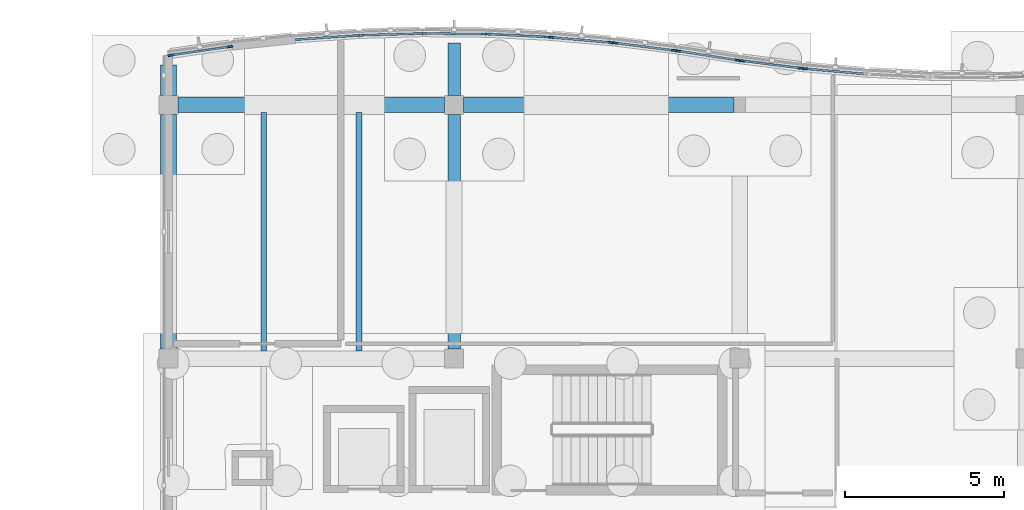
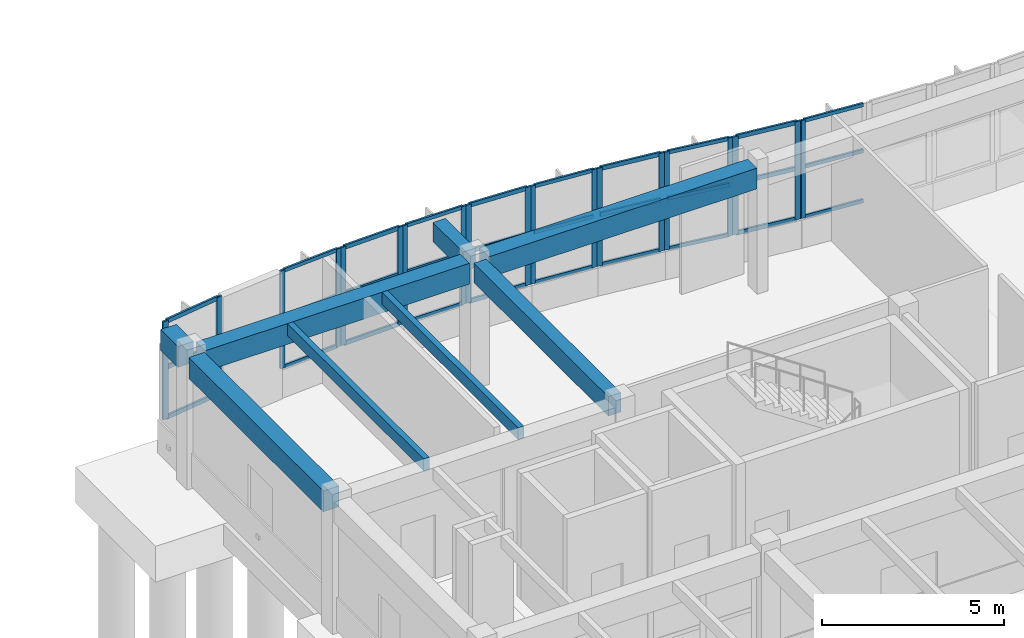
# One storey, part 30 of 99: 49 members, 8 beams, 10 elements without a shape of their own.
"""IFC4 building model written with IfcOpenShell, lengths in metres."""

from ifc_helpers import new_model, si_unit, direction, frame, origin, origin_2d, place, context, subcontext, project, spatial, rectangle, extrude, material, layer, layer_set, material_profile, profile_set, type_object, element, aggregate, save


model = new_model("IFC4")

# Units and contexts
model_context = context("Model", 3, precision=1e-05, world=origin(), true_north=direction((0.0, 1.0)))
body_context = subcontext(model_context, "Body", "Model", "MODEL_VIEW")
ifc_project = project(units=[si_unit("LENGTHUNIT", "METRE"), si_unit("AREAUNIT", "SQUARE_METRE"), si_unit("VOLUMEUNIT", "CUBIC_METRE"), si_unit("PLANEANGLEUNIT", "RADIAN"), si_unit("MASSUNIT", "GRAM", prefix="KILO")], contexts=[model_context])

# Site, building, storey
site_placement = place(None, origin())
site = spatial("IfcSite", under=ifc_project, at=site_placement, CompositionType="ELEMENT")
building_placement = place(site_placement, origin())
building = spatial("IfcBuilding", under=site, at=building_placement, Name="Tonlespit Floodbar School", CompositionType="ELEMENT")
storey_placement = place(building_placement, origin())
storey = spatial("IfcBuildingStorey", under=building, at=storey_placement, Name="L00", CompositionType="ELEMENT", Elevation=0.0)

# Beams
ifc_material_1 = material(Name="Concrete C40/50", Category="concrete")
ifc_material_profile_1 = material_profile(ifc_material_1, rectangle(XDim=0.39990234375, YDim=0.64990234375, at=origin_2d()), Name="RC 400x650")
ifc_profile_set_1 = profile_set([ifc_material_profile_1], Name="Concrete C40/50")
beam_type_1 = type_object("IfcBeamType", Name="Beam_RC_400x650", PredefinedType="BEAM", material=ifc_profile_set_1)
beam_1_placement = place(storey_placement, frame((53.0, 112.300048828125, 3.9150390625), z_axis=(0.0, 1.0, 0.0), x_axis=(-1.0, 0.0, 0.0)))
element("IfcBeam", 1, at=beam_1_placement, inside=storey, type_object=beam_type_1, Name="L00 girder 0237", PredefinedType="BEAM", context=body_context, shape_type="SweptSolid", body=[
    extrude(rectangle(XDim=0.39990234375, YDim=0.64990234375, at=origin_2d()), origin(), (0.0, 0.0, 1.0), 7.39990234375),
])
beam_2_placement = place(storey_placement, frame((53.0, 120.300048828125, 3.9150390625), z_axis=(0.0, 1.0, 0.0), x_axis=(-1.0, 0.0, 0.0)))
element("IfcBeam", 2, at=beam_2_placement, inside=storey, type_object=beam_type_1, Name="L00 north street wave cantilever bracket", PredefinedType="BEAM", context=body_context, shape_type="SweptSolid", body=[
    extrude(rectangle(XDim=0.39990234375, YDim=0.64990234375, at=origin_2d()), origin(), (0.0, 0.0, 1.0), 1.64697265625),
])

# Curtain wall, members
ifc_material_2 = material(Name="Anodised Aluminium", Category="aluminium")
ifc_layer_1 = layer(ifc_material_2, 0.159912109375)
ifc_layer_set_1 = layer_set([ifc_layer_1], Name="Anodised Aluminium")
curtain_wall_type_1 = type_object("IfcCurtainWallType", Name="CurtainWall_1900x3300", PredefinedType="NOTDEFINED", material=ifc_layer_set_1)
curtain_wall_1_placement = place(storey_placement, origin())
curtain_wall_1 = element("IfcCurtainWall", 3, at=curtain_wall_1_placement, inside=storey, type_object=curtain_wall_type_1, Name="L00 unitised curtain wall 0002", PredefinedType="NOTDEFINED")
ifc_material_profile_2 = material_profile(ifc_material_2, rectangle(XDim=0.06494140625, YDim=0.14990234375, at=origin_2d()), Name="ALU M65x150")
ifc_profile_set_2 = profile_set([ifc_material_profile_2], Name="Anodised Aluminium")
member_type_1 = type_object("IfcMemberType", Name="CW_Mullion_65x150", PredefinedType="MULLION", material=ifc_profile_set_2)
member_1_placement = place(storey_placement, frame((48.072265625, 122.05908203125, 0.949951171875), z_axis=(0.0, 0.0, 1.0), x_axis=(-0.067339767311, 0.99773010165, 0.0)))
member_1 = element("IfcMember", 4, at=member_1_placement, type_object=member_type_1, Name="CW-02 mullion 1", PredefinedType="MULLION", context=body_context, shape_type="SweptSolid", body=[
    extrude(rectangle(XDim=0.06494140625, YDim=0.14990234375, at=origin_2d()), origin(), (0.0, 0.0, 1.0), 3.2900390625),
])
member_2_placement = place(storey_placement, frame((49.927734375, 122.184326171875, 0.949951171875), z_axis=(0.0, 0.0, 1.0), x_axis=(-0.067339767311, 0.99773010165, 0.0)))
member_2 = element("IfcMember", 5, at=member_2_placement, type_object=member_type_1, Name="CW-02 mullion 2", PredefinedType="MULLION", context=body_context, shape_type="SweptSolid", body=[
    extrude(rectangle(XDim=0.06494140625, YDim=0.14990234375, at=origin_2d()), origin(), (0.0, 0.0, 1.0), 3.2900390625),
])

curtain_wall_2_placement = place(storey_placement, origin())
curtain_wall_2 = element("IfcCurtainWall", 6, at=curtain_wall_2_placement, inside=storey, type_object=curtain_wall_type_1, Name="L00 unitised curtain wall 0004", PredefinedType="NOTDEFINED")
member_3_placement = place(storey_placement, frame((52.072509765625, 122.246337890625, 0.949951171875), z_axis=(0.0, 0.0, 1.0), x_axis=(0.009582893292, 0.999954083024, 0.0)))
member_3 = element("IfcMember", 7, at=member_3_placement, type_object=member_type_1, Name="CW-02 mullion 1", PredefinedType="MULLION", context=body_context, shape_type="SweptSolid", body=[
    extrude(rectangle(XDim=0.06494140625, YDim=0.14990234375, at=origin_2d()), origin(), (0.0, 0.0, 1.0), 3.2900390625),
])
member_4_placement = place(storey_placement, frame((53.927490234375, 122.228515625, 0.949951171875), z_axis=(0.0, 0.0, 1.0), x_axis=(0.009582893292, 0.999954083024, 0.0)))
member_4 = element("IfcMember", 8, at=member_4_placement, type_object=member_type_1, Name="CW-02 mullion 2", PredefinedType="MULLION", context=body_context, shape_type="SweptSolid", body=[
    extrude(rectangle(XDim=0.06494140625, YDim=0.14990234375, at=origin_2d()), origin(), (0.0, 0.0, 1.0), 3.2900390625),
])

ifc_layer_2 = layer(ifc_material_2, 0.159912109375)
ifc_layer_set_2 = layer_set([ifc_layer_2], Name="Anodised Aluminium")
curtain_wall_type_2 = type_object("IfcCurtainWallType", Name="CurtainWall_1950x3300", PredefinedType="NOTDEFINED", material=ifc_layer_set_2)
curtain_wall_3_placement = place(storey_placement, origin())
curtain_wall_3 = element("IfcCurtainWall", 9, at=curtain_wall_3_placement, inside=storey, type_object=curtain_wall_type_2, Name="L00 unitised curtain wall 0006", PredefinedType="NOTDEFINED")
member_5_placement = place(storey_placement, frame((56.072265625, 122.125244140625, 0.949951171875), z_axis=(0.0, 0.0, 1.0), x_axis=(0.086531117454, 0.996249148412, 0.0)))
member_5 = element("IfcMember", 10, at=member_5_placement, type_object=member_type_1, Name="CW-01 mullion 1", PredefinedType="MULLION", context=body_context, shape_type="SweptSolid", body=[
    extrude(rectangle(XDim=0.06494140625, YDim=0.14990234375, at=origin_2d()), origin(), (0.0, 0.0, 1.0), 3.2900390625),
])
member_6_placement = place(storey_placement, frame((57.927734375, 121.964111328125, 0.949951171875), z_axis=(0.0, 0.0, 1.0), x_axis=(0.086531117454, 0.996249148412, 0.0)))
member_6 = element("IfcMember", 11, at=member_6_placement, type_object=member_type_1, Name="CW-01 mullion 2", PredefinedType="MULLION", context=body_context, shape_type="SweptSolid", body=[
    extrude(rectangle(XDim=0.06494140625, YDim=0.14990234375, at=origin_2d()), origin(), (0.0, 0.0, 1.0), 3.2900390625),
])

curtain_wall_4_placement = place(storey_placement, origin())
curtain_wall_4 = element("IfcCurtainWall", 12, at=curtain_wall_4_placement, inside=storey, type_object=curtain_wall_type_2, Name="L00 unitised curtain wall 0008", PredefinedType="NOTDEFINED")
member_7_placement = place(storey_placement, frame((60.071533203125, 121.694580078125, 0.949951171875), z_axis=(0.0, 0.0, 1.0), x_axis=(0.153796288585, 0.988102576465, 0.0)))
member_7 = element("IfcMember", 13, at=member_7_placement, type_object=member_type_1, Name="CW-01 mullion 1", PredefinedType="MULLION", context=body_context, shape_type="SweptSolid", body=[
    extrude(rectangle(XDim=0.06494140625, YDim=0.14990234375, at=origin_2d()), origin(), (0.0, 0.0, 1.0), 3.2900390625),
])
member_8_placement = place(storey_placement, frame((61.928466796875, 121.405517578125, 0.949951171875), z_axis=(0.0, 0.0, 1.0), x_axis=(0.153796288585, 0.988102576465, 0.0)))
member_8 = element("IfcMember", 14, at=member_8_placement, type_object=member_type_1, Name="CW-01 mullion 2", PredefinedType="MULLION", context=body_context, shape_type="SweptSolid", body=[
    extrude(rectangle(XDim=0.06494140625, YDim=0.14990234375, at=origin_2d()), origin(), (0.0, 0.0, 1.0), 3.2900390625),
])

# Curtain wall, member
curtain_wall_5_placement = place(storey_placement, origin())
curtain_wall_5 = element("IfcCurtainWall", 15, at=curtain_wall_5_placement, inside=storey, type_object=curtain_wall_type_2, Name="L00 unitised curtain wall 0010", PredefinedType="NOTDEFINED")
member_9_placement = place(storey_placement, frame((64.072265625, 121.135986328125, 0.949951171875), z_axis=(0.0, 0.0, 1.0), x_axis=(0.086531117454, 0.996249148412, 0.0)))
member_9 = element("IfcMember", 16, at=member_9_placement, type_object=member_type_1, Name="CW-01 mullion 1", PredefinedType="MULLION", context=body_context, shape_type="SweptSolid", body=[
    extrude(rectangle(XDim=0.06494140625, YDim=0.14990234375, at=origin_2d()), origin(), (0.0, 0.0, 1.0), 3.2900390625),
])

# Curtain wall, members
curtain_wall_6_placement = place(storey_placement, origin())
curtain_wall_6 = element("IfcCurtainWall", 17, at=curtain_wall_6_placement, inside=storey, type_object=curtain_wall_type_2, Name="L00 unitised curtain wall 0001", PredefinedType="NOTDEFINED")
ifc_material_profile_3 = material_profile(ifc_material_2, rectangle(XDim=0.06494140625, YDim=0.179931640625, at=origin_2d()), Name="ALU M65x180")
ifc_profile_set_3 = profile_set([ifc_material_profile_3], Name="Anodised Aluminium")
member_type_2 = type_object("IfcMemberType", Name="CW_Mullion_65x180", PredefinedType="MULLION", material=ifc_profile_set_3)
member_10_placement = place(storey_placement, frame((44.07177734375, 121.560546875, 0.949951171875), z_axis=(0.0, 0.0, 1.0), x_axis=(-0.144248041079, 0.989541561858, 0.0)))
member_10 = element("IfcMember", 18, at=member_10_placement, type_object=member_type_2, Name="CW-01 mullion 1", PredefinedType="MULLION", context=body_context, shape_type="SweptSolid", body=[
    extrude(rectangle(XDim=0.06494140625, YDim=0.179931640625, at=origin_2d()), origin(), (0.0, 0.0, 1.0), 3.2900390625),
])
member_11_placement = place(storey_placement, frame((45.92822265625, 121.8310546875, 0.949951171875), z_axis=(0.0, 0.0, 1.0), x_axis=(-0.144248041079, 0.989541561858, 0.0)))
member_11 = element("IfcMember", 19, at=member_11_placement, type_object=member_type_2, Name="CW-01 mullion 2", PredefinedType="MULLION", context=body_context, shape_type="SweptSolid", body=[
    extrude(rectangle(XDim=0.06494140625, YDim=0.179931640625, at=origin_2d()), origin(), (0.0, 0.0, 1.0), 3.2900390625),
])

curtain_wall_7_placement = place(storey_placement, origin())
curtain_wall_7 = element("IfcCurtainWall", 20, at=curtain_wall_7_placement, inside=storey, type_object=curtain_wall_type_1, Name="L00 unitised curtain wall 0003", PredefinedType="NOTDEFINED")
member_12_placement = place(storey_placement, frame((50.072509765625, 122.19140625, 0.949951171875), z_axis=(0.0, 0.0, 1.0), x_axis=(-0.028790144226, 0.999585477883, 0.0)))
member_12 = element("IfcMember", 21, at=member_12_placement, type_object=member_type_2, Name="CW-02 mullion 1", PredefinedType="MULLION", context=body_context, shape_type="SweptSolid", body=[
    extrude(rectangle(XDim=0.06494140625, YDim=0.179931640625, at=origin_2d()), origin(), (0.0, 0.0, 1.0), 3.2900390625),
])
member_13_placement = place(storey_placement, frame((51.927490234375, 122.244873046875, 0.949951171875), z_axis=(0.0, 0.0, 1.0), x_axis=(-0.028790144226, 0.999585477883, 0.0)))
member_13 = element("IfcMember", 22, at=member_13_placement, type_object=member_type_2, Name="CW-02 mullion 2", PredefinedType="MULLION", context=body_context, shape_type="SweptSolid", body=[
    extrude(rectangle(XDim=0.06494140625, YDim=0.179931640625, at=origin_2d()), origin(), (0.0, 0.0, 1.0), 3.2900390625),
])

curtain_wall_8_placement = place(storey_placement, origin())
curtain_wall_8 = element("IfcCurtainWall", 23, at=curtain_wall_8_placement, inside=storey, type_object=curtain_wall_type_1, Name="L00 unitised curtain wall 0005", PredefinedType="NOTDEFINED")
member_14_placement = place(storey_placement, frame((54.072509765625, 122.224365234375, 0.949951171875), z_axis=(0.0, 0.0, 1.0), x_axis=(0.048121270216, 0.998841500616, 0.0)))
member_14 = element("IfcMember", 24, at=member_14_placement, type_object=member_type_2, Name="CW-02 mullion 1", PredefinedType="MULLION", context=body_context, shape_type="SweptSolid", body=[
    extrude(rectangle(XDim=0.06494140625, YDim=0.179931640625, at=origin_2d()), origin(), (0.0, 0.0, 1.0), 3.2900390625),
])
member_15_placement = place(storey_placement, frame((55.927490234375, 122.135009765625, 0.949951171875), z_axis=(0.0, 0.0, 1.0), x_axis=(0.048121270216, 0.998841500616, 0.0)))
member_15 = element("IfcMember", 25, at=member_15_placement, type_object=member_type_2, Name="CW-02 mullion 2", PredefinedType="MULLION", context=body_context, shape_type="SweptSolid", body=[
    extrude(rectangle(XDim=0.06494140625, YDim=0.179931640625, at=origin_2d()), origin(), (0.0, 0.0, 1.0), 3.2900390625),
])

curtain_wall_9_placement = place(storey_placement, origin())
curtain_wall_9 = element("IfcCurtainWall", 26, at=curtain_wall_9_placement, inside=storey, type_object=curtain_wall_type_2, Name="L00 unitised curtain wall 0007", PredefinedType="NOTDEFINED")
member_16_placement = place(storey_placement, frame((58.072021484375, 121.94873046875, 0.949951171875), z_axis=(0.0, 0.0, 1.0), x_axis=(0.125013803299, 0.992155002499, 0.0)))
member_16 = element("IfcMember", 27, at=member_16_placement, type_object=member_type_2, Name="CW-01 mullion 1", PredefinedType="MULLION", context=body_context, shape_type="SweptSolid", body=[
    extrude(rectangle(XDim=0.06494140625, YDim=0.179931640625, at=origin_2d()), origin(), (0.0, 0.0, 1.0), 3.2900390625),
])
member_17_placement = place(storey_placement, frame((59.927978515625, 121.71484375, 0.949951171875), z_axis=(0.0, 0.0, 1.0), x_axis=(0.125013803299, 0.992155002499, 0.0)))
member_17 = element("IfcMember", 28, at=member_17_placement, type_object=member_type_2, Name="CW-01 mullion 2", PredefinedType="MULLION", context=body_context, shape_type="SweptSolid", body=[
    extrude(rectangle(XDim=0.06494140625, YDim=0.179931640625, at=origin_2d()), origin(), (0.0, 0.0, 1.0), 3.2900390625),
])

curtain_wall_10_placement = place(storey_placement, origin())
curtain_wall_10 = element("IfcCurtainWall", 29, at=curtain_wall_10_placement, inside=storey, type_object=curtain_wall_type_2, Name="L00 unitised curtain wall 0009", PredefinedType="NOTDEFINED")
member_18_placement = place(storey_placement, frame((62.072021484375, 121.38525390625, 0.949951171875), z_axis=(0.0, 0.0, 1.0), x_axis=(0.125013803299, 0.992155002499, 0.0)))
member_18 = element("IfcMember", 30, at=member_18_placement, type_object=member_type_2, Name="CW-01 mullion 1", PredefinedType="MULLION", context=body_context, shape_type="SweptSolid", body=[
    extrude(rectangle(XDim=0.06494140625, YDim=0.179931640625, at=origin_2d()), origin(), (0.0, 0.0, 1.0), 3.2900390625),
])
member_19_placement = place(storey_placement, frame((63.927978515625, 121.1513671875, 0.949951171875), z_axis=(0.0, 0.0, 1.0), x_axis=(0.125013803299, 0.992155002499, 0.0)))
member_19 = element("IfcMember", 31, at=member_19_placement, type_object=member_type_2, Name="CW-01 mullion 2", PredefinedType="MULLION", context=body_context, shape_type="SweptSolid", body=[
    extrude(rectangle(XDim=0.06494140625, YDim=0.179931640625, at=origin_2d()), origin(), (0.0, 0.0, 1.0), 3.2900390625),
])

# Member
ifc_material_profile_4 = material_profile(ifc_material_2, rectangle(XDim=0.06494140625, YDim=0.1201171875, at=origin_2d()), Name="ALU T65x120")
ifc_profile_set_4 = profile_set([ifc_material_profile_4], Name="Anodised Aluminium")
member_type_3 = type_object("IfcMemberType", Name="CW_Transom_65x120", PredefinedType="USERDEFINED", material=ifc_profile_set_4)
member_20_placement = place(storey_placement, frame((48.104736328125, 122.061279296875, 0.982421875), z_axis=(0.997730041674, 0.067340655935, 0.0), x_axis=(-0.067340655935, 0.997730041674, 0.0)))
member_20 = element("IfcMember", 32, at=member_20_placement, type_object=member_type_3, Name="CW-02 transom 1.1", ObjectType="TRANSOM", PredefinedType="USERDEFINED", context=body_context, shape_type="SweptSolid", body=[
    extrude(rectangle(XDim=0.06494140625, YDim=0.1201171875, at=origin_2d()), origin(), (0.0, 0.0, 1.0), 1.794677734375),
])

member_21_placement = place(storey_placement, frame((48.104736328125, 122.061279296875, 2.660888671875), z_axis=(0.997730041674, 0.067340655935, 0.0), x_axis=(-0.067340655935, 0.997730041674, 0.0)))
member_21 = element("IfcMember", 33, at=member_21_placement, type_object=member_type_3, Name="CW-02 transom 1.2", ObjectType="TRANSOM", PredefinedType="USERDEFINED", context=body_context, shape_type="SweptSolid", body=[
    extrude(rectangle(XDim=0.06494140625, YDim=0.1201171875, at=origin_2d()), origin(), (0.0, 0.0, 1.0), 1.794677734375),
])

member_22_placement = place(storey_placement, frame((48.104736328125, 122.061279296875, 4.20751953125), z_axis=(0.997730041674, 0.067340655935, 0.0), x_axis=(-0.067340655935, 0.997730041674, 0.0)))
member_22 = element("IfcMember", 34, at=member_22_placement, type_object=member_type_3, Name="CW-02 transom 1.3", ObjectType="TRANSOM", PredefinedType="USERDEFINED", context=body_context, shape_type="SweptSolid", body=[
    extrude(rectangle(XDim=0.06494140625, YDim=0.1201171875, at=origin_2d()), origin(), (0.0, 0.0, 1.0), 1.794677734375),
])

aggregate(curtain_wall_1, [member_1, member_2, member_20, member_21, member_22])

member_23_placement = place(storey_placement, frame((52.10498046875, 122.24609375, 0.982421875), z_axis=(0.999953117448, -0.009683124842, 0.0), x_axis=(0.009683124842, 0.999953117448, 0.0)))
member_23 = element("IfcMember", 35, at=member_23_placement, type_object=member_type_3, Name="CW-02 transom 1.1", ObjectType="TRANSOM", PredefinedType="USERDEFINED", context=body_context, shape_type="SweptSolid", body=[
    extrude(rectangle(XDim=0.06494140625, YDim=0.1201171875, at=origin_2d()), origin(), (0.0, 0.0, 1.0), 1.7900390625),
])

member_24_placement = place(storey_placement, frame((52.10498046875, 122.24609375, 2.660888671875), z_axis=(0.999953117448, -0.009683124842, 0.0), x_axis=(0.009683124842, 0.999953117448, 0.0)))
member_24 = element("IfcMember", 36, at=member_24_placement, type_object=member_type_3, Name="CW-02 transom 1.2", ObjectType="TRANSOM", PredefinedType="USERDEFINED", context=body_context, shape_type="SweptSolid", body=[
    extrude(rectangle(XDim=0.06494140625, YDim=0.1201171875, at=origin_2d()), origin(), (0.0, 0.0, 1.0), 1.7900390625),
])

member_25_placement = place(storey_placement, frame((52.10498046875, 122.24609375, 4.20751953125), z_axis=(0.999953117448, -0.009683124842, 0.0), x_axis=(0.009683124842, 0.999953117448, 0.0)))
member_25 = element("IfcMember", 37, at=member_25_placement, type_object=member_type_3, Name="CW-02 transom 1.3", ObjectType="TRANSOM", PredefinedType="USERDEFINED", context=body_context, shape_type="SweptSolid", body=[
    extrude(rectangle(XDim=0.06494140625, YDim=0.1201171875, at=origin_2d()), origin(), (0.0, 0.0, 1.0), 1.7900390625),
])

aggregate(curtain_wall_2, [member_3, member_4, member_23, member_24, member_25])

member_26_placement = place(storey_placement, frame((56.1044921875, 122.122314453125, 0.982421875), z_axis=(0.996251281774, -0.086506552139, 0.0), x_axis=(0.086506552139, 0.996251281774, 0.0)))
member_26 = element("IfcMember", 38, at=member_26_placement, type_object=member_type_3, Name="CW-01 transom 1.1", ObjectType="TRANSOM", PredefinedType="USERDEFINED", context=body_context, shape_type="SweptSolid", body=[
    extrude(rectangle(XDim=0.06494140625, YDim=0.1201171875, at=origin_2d()), origin(), (0.0, 0.0, 1.0), 1.7978515625),
])

member_27_placement = place(storey_placement, frame((56.1044921875, 122.122314453125, 2.660888671875), z_axis=(0.996251281774, -0.086506552139, 0.0), x_axis=(0.086506552139, 0.996251281774, 0.0)))
member_27 = element("IfcMember", 39, at=member_27_placement, type_object=member_type_3, Name="CW-01 transom 1.2", ObjectType="TRANSOM", PredefinedType="USERDEFINED", context=body_context, shape_type="SweptSolid", body=[
    extrude(rectangle(XDim=0.06494140625, YDim=0.1201171875, at=origin_2d()), origin(), (0.0, 0.0, 1.0), 1.7978515625),
])

member_28_placement = place(storey_placement, frame((56.1044921875, 122.122314453125, 4.20751953125), z_axis=(0.996251281774, -0.086506552139, 0.0), x_axis=(0.086506552139, 0.996251281774, 0.0)))
member_28 = element("IfcMember", 40, at=member_28_placement, type_object=member_type_3, Name="CW-01 transom 1.3", ObjectType="TRANSOM", PredefinedType="USERDEFINED", context=body_context, shape_type="SweptSolid", body=[
    extrude(rectangle(XDim=0.06494140625, YDim=0.1201171875, at=origin_2d()), origin(), (0.0, 0.0, 1.0), 1.7978515625),
])

aggregate(curtain_wall_3, [member_5, member_6, member_26, member_27, member_28])

member_29_placement = place(storey_placement, frame((60.103759765625, 121.689453125, 0.982421875), z_axis=(0.988097838313, -0.15382672694, 0.0), x_axis=(0.15382672694, 0.988097838313, 0.0)))
member_29 = element("IfcMember", 41, at=member_29_placement, type_object=member_type_3, Name="CW-01 transom 1.1", ObjectType="TRANSOM", PredefinedType="USERDEFINED", context=body_context, shape_type="SweptSolid", body=[
    extrude(rectangle(XDim=0.06494140625, YDim=0.1201171875, at=origin_2d()), origin(), (0.0, 0.0, 1.0), 1.81396484375),
])

member_30_placement = place(storey_placement, frame((60.103759765625, 121.689453125, 2.660888671875), z_axis=(0.988097838313, -0.15382672694, 0.0), x_axis=(0.15382672694, 0.988097838313, 0.0)))
member_30 = element("IfcMember", 42, at=member_30_placement, type_object=member_type_3, Name="CW-01 transom 1.2", ObjectType="TRANSOM", PredefinedType="USERDEFINED", context=body_context, shape_type="SweptSolid", body=[
    extrude(rectangle(XDim=0.06494140625, YDim=0.1201171875, at=origin_2d()), origin(), (0.0, 0.0, 1.0), 1.81396484375),
])

member_31_placement = place(storey_placement, frame((60.103759765625, 121.689453125, 4.20751953125), z_axis=(0.988097838313, -0.15382672694, 0.0), x_axis=(0.15382672694, 0.988097838313, 0.0)))
member_31 = element("IfcMember", 43, at=member_31_placement, type_object=member_type_3, Name="CW-01 transom 1.3", ObjectType="TRANSOM", PredefinedType="USERDEFINED", context=body_context, shape_type="SweptSolid", body=[
    extrude(rectangle(XDim=0.06494140625, YDim=0.1201171875, at=origin_2d()), origin(), (0.0, 0.0, 1.0), 1.81396484375),
])

aggregate(curtain_wall_4, [member_7, member_8, member_29, member_30, member_31])

member_32_placement = place(storey_placement, frame((64.1044921875, 121.133056640625, 0.982421875), z_axis=(0.996251281774, -0.086506552139, 0.0), x_axis=(0.086506552139, 0.996251281774, 0.0)))
member_32 = element("IfcMember", 44, at=member_32_placement, type_object=member_type_3, Name="CW-01 transom 1.1", ObjectType="TRANSOM", PredefinedType="USERDEFINED", context=body_context, shape_type="SweptSolid", body=[
    extrude(rectangle(XDim=0.06494140625, YDim=0.1201171875, at=origin_2d()), origin(), (0.0, 0.0, 1.0), 1.7978515625),
])

member_33_placement = place(storey_placement, frame((64.1044921875, 121.133056640625, 2.660888671875), z_axis=(0.996251281774, -0.086506552139, 0.0), x_axis=(0.086506552139, 0.996251281774, 0.0)))
member_33 = element("IfcMember", 45, at=member_33_placement, type_object=member_type_3, Name="CW-01 transom 1.2", ObjectType="TRANSOM", PredefinedType="USERDEFINED", context=body_context, shape_type="SweptSolid", body=[
    extrude(rectangle(XDim=0.06494140625, YDim=0.1201171875, at=origin_2d()), origin(), (0.0, 0.0, 1.0), 1.7978515625),
])

member_34_placement = place(storey_placement, frame((64.1044921875, 121.133056640625, 4.20751953125), z_axis=(0.996251281774, -0.086506552139, 0.0), x_axis=(0.086506552139, 0.996251281774, 0.0)))
member_34 = element("IfcMember", 46, at=member_34_placement, type_object=member_type_3, Name="CW-01 transom 1.3", ObjectType="TRANSOM", PredefinedType="USERDEFINED", context=body_context, shape_type="SweptSolid", body=[
    extrude(rectangle(XDim=0.06494140625, YDim=0.1201171875, at=origin_2d()), origin(), (0.0, 0.0, 1.0), 1.7978515625),
])

aggregate(curtain_wall_5, [member_9, member_32, member_33, member_34])

ifc_material_profile_5 = material_profile(ifc_material_2, rectangle(XDim=0.06494140625, YDim=0.139892578125, at=origin_2d()), Name="ALU T65x140")
ifc_profile_set_5 = profile_set([ifc_material_profile_5], Name="Anodised Aluminium")
member_type_4 = type_object("IfcMemberType", Name="CW_Transom_65x140", PredefinedType="USERDEFINED", material=ifc_profile_set_5)
member_35_placement = place(storey_placement, frame((44.10400390625, 121.565185546875, 0.982421875), z_axis=(0.989541000818, 0.144251889765, 0.0), x_axis=(-0.144251889765, 0.989541000818, 0.0)))
member_35 = element("IfcMember", 47, at=member_35_placement, type_object=member_type_4, Name="CW-01 transom 1.1", ObjectType="TRANSOM", PredefinedType="USERDEFINED", context=body_context, shape_type="SweptSolid", body=[
    extrude(rectangle(XDim=0.06494140625, YDim=0.139892578125, at=origin_2d()), origin(), (0.0, 0.0, 1.0), 1.81103515625),
])

member_36_placement = place(storey_placement, frame((44.10400390625, 121.565185546875, 2.660888671875), z_axis=(0.989541000818, 0.144251889765, 0.0), x_axis=(-0.144251889765, 0.989541000818, 0.0)))
member_36 = element("IfcMember", 48, at=member_36_placement, type_object=member_type_4, Name="CW-01 transom 1.2", ObjectType="TRANSOM", PredefinedType="USERDEFINED", context=body_context, shape_type="SweptSolid", body=[
    extrude(rectangle(XDim=0.06494140625, YDim=0.139892578125, at=origin_2d()), origin(), (0.0, 0.0, 1.0), 1.81103515625),
])

member_37_placement = place(storey_placement, frame((44.10400390625, 121.565185546875, 4.20751953125), z_axis=(0.989541000818, 0.144251889765, 0.0), x_axis=(-0.144251889765, 0.989541000818, 0.0)))
member_37 = element("IfcMember", 49, at=member_37_placement, type_object=member_type_4, Name="CW-01 transom 1.3", ObjectType="TRANSOM", PredefinedType="USERDEFINED", context=body_context, shape_type="SweptSolid", body=[
    extrude(rectangle(XDim=0.06494140625, YDim=0.139892578125, at=origin_2d()), origin(), (0.0, 0.0, 1.0), 1.81103515625),
])

aggregate(curtain_wall_6, [member_10, member_11, member_35, member_36, member_37])

member_38_placement = place(storey_placement, frame((50.10498046875, 122.1923828125, 0.982421875), z_axis=(0.999586171543, 0.02876605049, 0.0), x_axis=(-0.02876605049, 0.999586171543, 0.0)))
member_38 = element("IfcMember", 50, at=member_38_placement, type_object=member_type_4, Name="CW-02 transom 1.1", ObjectType="TRANSOM", PredefinedType="USERDEFINED", context=body_context, shape_type="SweptSolid", body=[
    extrude(rectangle(XDim=0.06494140625, YDim=0.139892578125, at=origin_2d()), origin(), (0.0, 0.0, 1.0), 1.790771484375),
])

member_39_placement = place(storey_placement, frame((50.10498046875, 122.1923828125, 2.660888671875), z_axis=(0.999586171543, 0.02876605049, 0.0), x_axis=(-0.02876605049, 0.999586171543, 0.0)))
member_39 = element("IfcMember", 51, at=member_39_placement, type_object=member_type_4, Name="CW-02 transom 1.2", ObjectType="TRANSOM", PredefinedType="USERDEFINED", context=body_context, shape_type="SweptSolid", body=[
    extrude(rectangle(XDim=0.06494140625, YDim=0.139892578125, at=origin_2d()), origin(), (0.0, 0.0, 1.0), 1.790771484375),
])

member_40_placement = place(storey_placement, frame((50.10498046875, 122.1923828125, 4.20751953125), z_axis=(0.999586171543, 0.02876605049, 0.0), x_axis=(-0.02876605049, 0.999586171543, 0.0)))
member_40 = element("IfcMember", 52, at=member_40_placement, type_object=member_type_4, Name="CW-02 transom 1.3", ObjectType="TRANSOM", PredefinedType="USERDEFINED", context=body_context, shape_type="SweptSolid", body=[
    extrude(rectangle(XDim=0.06494140625, YDim=0.139892578125, at=origin_2d()), origin(), (0.0, 0.0, 1.0), 1.790771484375),
])

aggregate(curtain_wall_7, [member_12, member_13, member_38, member_39, member_40])

member_41_placement = place(storey_placement, frame((54.10498046875, 122.22265625, 0.982421875), z_axis=(0.998843034795, -0.048089415069, 0.0), x_axis=(0.048089415069, 0.998843034795, 0.0)))
member_41 = element("IfcMember", 53, at=member_41_placement, type_object=member_type_4, Name="CW-02 transom 1.1", ObjectType="TRANSOM", PredefinedType="USERDEFINED", context=body_context, shape_type="SweptSolid", body=[
    extrude(rectangle(XDim=0.06494140625, YDim=0.139892578125, at=origin_2d()), origin(), (0.0, 0.0, 1.0), 1.7919921875),
])

member_42_placement = place(storey_placement, frame((54.10498046875, 122.22265625, 2.660888671875), z_axis=(0.998843034795, -0.048089415069, 0.0), x_axis=(0.048089415069, 0.998843034795, 0.0)))
member_42 = element("IfcMember", 54, at=member_42_placement, type_object=member_type_4, Name="CW-02 transom 1.2", ObjectType="TRANSOM", PredefinedType="USERDEFINED", context=body_context, shape_type="SweptSolid", body=[
    extrude(rectangle(XDim=0.06494140625, YDim=0.139892578125, at=origin_2d()), origin(), (0.0, 0.0, 1.0), 1.7919921875),
])

member_43_placement = place(storey_placement, frame((54.10498046875, 122.22265625, 4.20751953125), z_axis=(0.998843034795, -0.048089415069, 0.0), x_axis=(0.048089415069, 0.998843034795, 0.0)))
member_43 = element("IfcMember", 55, at=member_43_placement, type_object=member_type_4, Name="CW-02 transom 1.3", ObjectType="TRANSOM", PredefinedType="USERDEFINED", context=body_context, shape_type="SweptSolid", body=[
    extrude(rectangle(XDim=0.06494140625, YDim=0.139892578125, at=origin_2d()), origin(), (0.0, 0.0, 1.0), 1.7919921875),
])

aggregate(curtain_wall_8, [member_14, member_15, member_41, member_42, member_43])

member_44_placement = place(storey_placement, frame((58.104248046875, 121.944580078125, 0.982421875), z_axis=(0.992148373735, -0.125066400341, 0.0), x_axis=(0.125066400341, 0.992148373735, 0.0)))
member_44 = element("IfcMember", 56, at=member_44_placement, type_object=member_type_4, Name="CW-01 transom 1.1", ObjectType="TRANSOM", PredefinedType="USERDEFINED", context=body_context, shape_type="SweptSolid", body=[
    extrude(rectangle(XDim=0.06494140625, YDim=0.139892578125, at=origin_2d()), origin(), (0.0, 0.0, 1.0), 1.8056640625),
])

member_45_placement = place(storey_placement, frame((58.104248046875, 121.944580078125, 2.660888671875), z_axis=(0.992148373735, -0.125066400341, 0.0), x_axis=(0.125066400341, 0.992148373735, 0.0)))
member_45 = element("IfcMember", 57, at=member_45_placement, type_object=member_type_4, Name="CW-01 transom 1.2", ObjectType="TRANSOM", PredefinedType="USERDEFINED", context=body_context, shape_type="SweptSolid", body=[
    extrude(rectangle(XDim=0.06494140625, YDim=0.139892578125, at=origin_2d()), origin(), (0.0, 0.0, 1.0), 1.8056640625),
])

member_46_placement = place(storey_placement, frame((58.104248046875, 121.944580078125, 4.20751953125), z_axis=(0.992148373735, -0.125066400341, 0.0), x_axis=(0.125066400341, 0.992148373735, 0.0)))
member_46 = element("IfcMember", 58, at=member_46_placement, type_object=member_type_4, Name="CW-01 transom 1.3", ObjectType="TRANSOM", PredefinedType="USERDEFINED", context=body_context, shape_type="SweptSolid", body=[
    extrude(rectangle(XDim=0.06494140625, YDim=0.139892578125, at=origin_2d()), origin(), (0.0, 0.0, 1.0), 1.8056640625),
])

aggregate(curtain_wall_9, [member_16, member_17, member_44, member_45, member_46])

member_47_placement = place(storey_placement, frame((62.104248046875, 121.381103515625, 0.982421875), z_axis=(0.992165142165, -0.124933304901, 0.0), x_axis=(0.124933304901, 0.992165142165, 0.0)))
member_47 = element("IfcMember", 59, at=member_47_placement, type_object=member_type_4, Name="CW-01 transom 1.1", ObjectType="TRANSOM", PredefinedType="USERDEFINED", context=body_context, shape_type="SweptSolid", body=[
    extrude(rectangle(XDim=0.06494140625, YDim=0.139892578125, at=origin_2d()), origin(), (0.0, 0.0, 1.0), 1.8056640625),
])

member_48_placement = place(storey_placement, frame((62.104248046875, 121.381103515625, 2.660888671875), z_axis=(0.992165142165, -0.124933304901, 0.0), x_axis=(0.124933304901, 0.992165142165, 0.0)))
member_48 = element("IfcMember", 60, at=member_48_placement, type_object=member_type_4, Name="CW-01 transom 1.2", ObjectType="TRANSOM", PredefinedType="USERDEFINED", context=body_context, shape_type="SweptSolid", body=[
    extrude(rectangle(XDim=0.06494140625, YDim=0.139892578125, at=origin_2d()), origin(), (0.0, 0.0, 1.0), 1.8056640625),
])

member_49_placement = place(storey_placement, frame((62.104248046875, 121.381103515625, 4.20751953125), z_axis=(0.992165142165, -0.124933304901, 0.0), x_axis=(0.124933304901, 0.992165142165, 0.0)))
member_49 = element("IfcMember", 61, at=member_49_placement, type_object=member_type_4, Name="CW-01 transom 1.3", ObjectType="TRANSOM", PredefinedType="USERDEFINED", context=body_context, shape_type="SweptSolid", body=[
    extrude(rectangle(XDim=0.06494140625, YDim=0.139892578125, at=origin_2d()), origin(), (0.0, 0.0, 1.0), 1.8056640625),
])

aggregate(curtain_wall_10, [member_18, member_19, member_47, member_48, member_49])

# Beams
ifc_material_3 = material(Name="Glulam GL28h", Category="wood")
ifc_material_profile_6 = material_profile(ifc_material_3, rectangle(XDim=0.179931640625, YDim=0.39990234375, at=origin_2d()), Name="GL 180x400")
ifc_profile_set_6 = profile_set([ifc_material_profile_6], Name="Glulam GL28h")
beam_type_2 = type_object("IfcBeamType", Name="Joist_GL_180x400", PredefinedType="JOIST", material=ifc_profile_set_6)
for number, where, z_axis, x_axis, name in (
    (62, (47.0, 112.25, 4.0400390625), (0.0, 1.0, 0.0), (-1.0, 0.0, 0.0), "L00 secondary joist 0523"),
    (63, (50.0, 112.25, 4.0400390625), (0.0, 1.0, 0.0), (-1.0, 0.0, 0.0), "L00 secondary joist 0524"),
):
    element("IfcBeam", number, at=place(storey_placement, frame(where, z_axis=z_axis, x_axis=x_axis)), inside=storey, type_object=beam_type_2, Name=name, PredefinedType="JOIST", context=body_context, shape_type="SweptSolid", body=[
        extrude(rectangle(XDim=0.179931640625, YDim=0.39990234375, at=origin_2d()), origin(), (0.0, 0.0, 1.0), 7.5),
    ])
ifc_material_profile_7 = material_profile(ifc_material_1, rectangle(XDim=0.5, YDim=0.699951171875, at=origin_2d()), Name="RC 500x700")
ifc_profile_set_7 = profile_set([ifc_material_profile_7], Name="Concrete C40/50")
beam_type_3 = type_object("IfcBeamType", Name="Spandrel_RC_500x700", PredefinedType="SPANDREL", material=ifc_profile_set_7)
beam_3_placement = place(storey_placement, frame((44.300048828125, 120.0, 3.889892578125), z_axis=(1.0, 0.0, 0.0), x_axis=(0.0, 1.0, 0.0)))
element("IfcBeam", 64, at=beam_3_placement, inside=storey, type_object=beam_type_3, Name="L00 girder 0151", PredefinedType="SPANDREL", context=body_context, shape_type="SweptSolid", body=[
    extrude(rectangle(XDim=0.5, YDim=0.699951171875, at=origin_2d()), origin(), (0.0, 0.0, 1.0), 8.39990234375),
])
beam_4_placement = place(storey_placement, frame((53.300048828125, 120.0, 3.889892578125), z_axis=(1.0, 0.0, 0.0), x_axis=(0.0, 1.0, 0.0)))
element("IfcBeam", 65, at=beam_4_placement, inside=storey, type_object=beam_type_3, Name="L00 girder 0152", PredefinedType="SPANDREL", context=body_context, shape_type="SweptSolid", body=[
    extrude(rectangle(XDim=0.5, YDim=0.699951171875, at=origin_2d()), origin(), (0.0, 0.0, 1.0), 8.52490234375),
])
beam_5_placement = place(storey_placement, frame((44.0, 112.300048828125, 3.889892578125), z_axis=(0.0, 1.0, 0.0), x_axis=(-1.0, 0.0, 0.0)))
element("IfcBeam", 66, at=beam_5_placement, inside=storey, type_object=beam_type_3, Name="L00 girder 0235", PredefinedType="SPANDREL", context=body_context, shape_type="SweptSolid", body=[
    extrude(rectangle(XDim=0.5, YDim=0.699951171875, at=origin_2d()), origin(), (0.0, 0.0, 1.0), 7.39990234375),
])
beam_6_placement = place(storey_placement, frame((44.0, 120.300048828125, 3.889892578125), z_axis=(0.0, 1.0, 0.0), x_axis=(-1.0, 0.0, 0.0)))
element("IfcBeam", 67, at=beam_6_placement, inside=storey, type_object=beam_type_3, Name="L00 north street wave cantilever bracket", PredefinedType="SPANDREL", context=body_context, shape_type="SweptSolid", body=[
    extrude(rectangle(XDim=0.5, YDim=0.699951171875, at=origin_2d()), origin(), (0.0, 0.0, 1.0), 0.949951171875),
])

save(model, "model.ifc")
